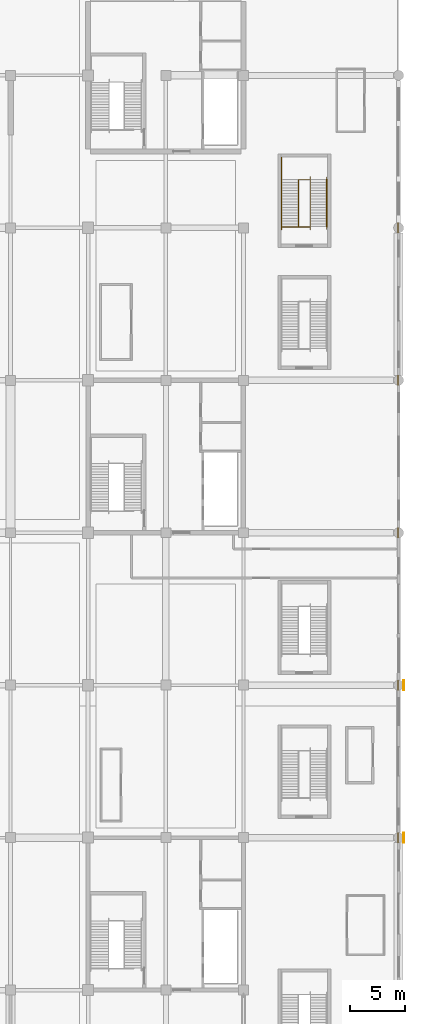
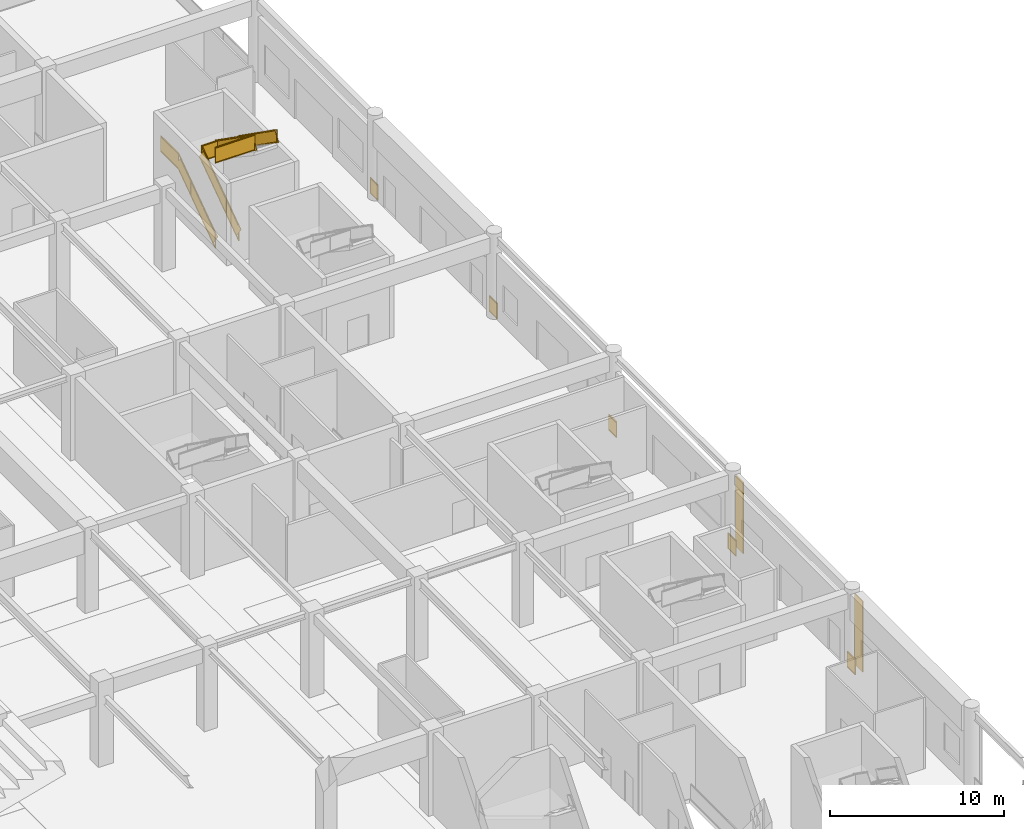
# One storey, part 67 of 73: 8 railings, 2 coverings.
"""IFC4 building model written with IfcOpenShell, lengths in metres."""

from ifc_helpers import new_model, si_unit, direction, frame, origin, origin_2d, place, context, subcontext, project, spatial, rectangle, extrude, material, layer, layer_set, type_object, element, save


model = new_model("IFC4")

# Units and contexts
model_context = context("Model", 3, precision=1e-05, world=origin(), true_north=direction((0.0, 1.0)))
body_context = subcontext(model_context, "Body", "Model", "MODEL_VIEW")
ifc_project = project(units=[si_unit("LENGTHUNIT", "METRE"), si_unit("AREAUNIT", "SQUARE_METRE"), si_unit("VOLUMEUNIT", "CUBIC_METRE"), si_unit("PLANEANGLEUNIT", "RADIAN"), si_unit("MASSUNIT", "GRAM", prefix="KILO")], contexts=[model_context])

# Site, building, storey
site_placement = place(None, origin())
site = spatial("IfcSite", under=ifc_project, at=site_placement, CompositionType="ELEMENT")
building_placement = place(site_placement, origin())
building = spatial("IfcBuilding", under=site, at=building_placement, Name="Linyun Crest Stadium", CompositionType="ELEMENT")
storey_placement = place(building_placement, origin())
storey = spatial("IfcBuildingStorey", under=building, at=storey_placement, Name="L01", CompositionType="ELEMENT", Elevation=0.0)

# Coverings
ifc_material_1 = material(Name="Precast concrete C40 fluted pier cladding", Category="concrete")
ifc_layer = layer(ifc_material_1, 0.0400390625)
ifc_layer_set = layer_set([ifc_layer], Name="Precast concrete C40 fluted pier cladding")
covering_type = type_object("IfcCoveringType", Name="CLD01", PredefinedType="CLADDING", material=ifc_layer_set)
for number, where, z_axis, x_axis, name in (
    (1, (98.449951171875, -25.375, 0.0), (0.0, 0.0, 1.0), (1.0, 0.0, 0.0), "Red sandstone pier cladding CLD01 5"),
    (2, (98.449951171875, -11.625, 0.0), (0.0, 0.0, 1.0), (1.0, 0.0, 0.0), "Red sandstone pier cladding CLD01 6"),
):
    element("IfcCovering", number, at=place(storey_placement, frame(where, z_axis=z_axis, x_axis=x_axis)), inside=storey, type_object=covering_type, Name=name, PredefinedType="CLADDING", context=body_context, shape_type="SweptSolid", body=[
        extrude(rectangle(XDim=0.06005859375, YDim=0.89990234375, at=origin_2d()), origin(), (0.0, 0.0, 1.0), 5.0),
    ])

# Railings
ifc_material_2 = material(Name="Galvanized and powder-coated steel bowl safety barrier", Category="steel")
railing_type_1 = type_object("IfcRailingType", Name="GR02", PredefinedType="GUARDRAIL", material=ifc_material_2)
for number, where, name in (
    (3, (97.93994140625, -24.93505859375, 0.0), "Slab edge balustrade GR02 101"),
    (4, (97.93994140625, 30.06494140625, 0.0), "Slab edge balustrade GR02 108"),
    (5, (97.93994140625, 16.31494140625, 0.0), "Slab edge balustrade GR02 109"),
    (6, (97.93994140625, 2.56494140625, 0.0), "Slab edge balustrade GR02 110"),
    (7, (97.93994140625, -11.18505859375, 0.0), "Slab edge balustrade GR02 111"),
):
    element("IfcRailing", number, at=place(storey_placement, frame(where)), inside=storey, type_object=railing_type_1, Name=name, PredefinedType="GUARDRAIL", context=body_context, shape_type="SweptSolid", body=[
        extrude(rectangle(XDim=0.06005859375, YDim=0.06005859375, at=origin_2d()), frame((0.0, 0.0, 1.090087890625), z_axis=(0.0, -1.0, 0.0), x_axis=(1.0, 0.0, 0.0)), (0.0, 0.0, 1.0), 0.8798828125),
        extrude(rectangle(XDim=0.030029296875, YDim=1.0, at=origin_2d()), frame((0.0, 0.0, 0.56005859375), z_axis=(0.0, -1.0, 0.0), x_axis=(1.0, 0.0, 0.0)), (0.0, 0.0, 1.0), 0.8798828125),
        extrude(rectangle(XDim=0.06005859375, YDim=0.06005859375, at=origin_2d()), frame((0.0, 0.0, 0.030029296875), z_axis=(0.0, -1.0, 0.0), x_axis=(1.0, 0.0, 0.0)), (0.0, 0.0, 1.0), 0.8798828125),
        extrude(rectangle(XDim=0.050048828125, YDim=0.050048828125, at=origin_2d()), origin(), (0.0, 0.0, 1.0), 1.1201171875),
        extrude(rectangle(XDim=0.050048828125, YDim=0.050048828125, at=origin_2d()), frame((0.0, -0.8798828125, 0.0)), (0.0, 0.0, 1.0), 1.1201171875),
    ])
ifc_material_3 = material(Name="Painted steel stairwell safety guard", Category="steel")
railing_type_2 = type_object("IfcRailingType", Name="GR03", PredefinedType="GUARDRAIL", material=ifc_material_3)
railing_1_placement = place(storey_placement, frame((87.429931640625, 29.719970703125, 0.0)))
element("IfcRailing", 8, at=railing_1_placement, inside=storey, type_object=railing_type_2, Name="STR-22-L01 outer guard", PredefinedType="GUARDRAIL", context=body_context, shape_type="SweptSolid", body=[
    extrude(rectangle(XDim=0.06005859375, YDim=0.06005859375, at=origin_2d()), frame((0.0, 0.0, 1.090087890625), z_axis=(0.0, 0.816967863265, 0.576683197599), x_axis=(-1.0, 0.0, 0.0)), (0.0, 0.0, 1.0), 5.2021484375),
    extrude(rectangle(XDim=0.030029296875, YDim=1.0, at=origin_2d()), frame((0.0, 0.0, 0.56005859375), z_axis=(0.0, 0.816967863265, 0.576683197599), x_axis=(-1.0, 0.0, 0.0)), (0.0, 0.0, 1.0), 5.2021484375),
    extrude(rectangle(XDim=0.06005859375, YDim=0.06005859375, at=origin_2d()), frame((0.0, 0.0, 0.030029296875), z_axis=(0.0, 0.816967863265, 0.576683197599), x_axis=(-1.0, 0.0, 0.0)), (0.0, 0.0, 1.0), 5.2021484375),
    extrude(rectangle(XDim=0.06005859375, YDim=0.06005859375, at=origin_2d()), frame((0.0, 4.25, 4.090087890625), z_axis=(0.0, 1.0, 0.0), x_axis=(-1.0, 0.0, 0.0)), (0.0, 0.0, 1.0), 2.0),
    extrude(rectangle(XDim=0.030029296875, YDim=1.0, at=origin_2d()), frame((0.0, 4.25, 3.56005859375), z_axis=(0.0, 1.0, 0.0), x_axis=(-1.0, 0.0, 0.0)), (0.0, 0.0, 1.0), 2.0),
    extrude(rectangle(XDim=0.06005859375, YDim=0.06005859375, at=origin_2d()), frame((0.0, 4.25, 3.030029296875), z_axis=(0.0, 1.0, 0.0), x_axis=(-1.0, 0.0, 0.0)), (0.0, 0.0, 1.0), 2.0),
    extrude(rectangle(XDim=0.050048828125, YDim=0.050048828125, at=origin_2d()), origin(), (0.0, 0.0, 1.0), 1.1201171875),
    extrude(rectangle(XDim=0.050048828125, YDim=0.050048828125, at=origin_2d()), frame((0.0, 1.416748046875, 1.0)), (0.0, 0.0, 1.0), 1.1201171875),
    extrude(rectangle(XDim=0.050048828125, YDim=0.050048828125, at=origin_2d()), frame((0.0, 2.833251953125, 2.0)), (0.0, 0.0, 1.0), 1.1201171875),
    extrude(rectangle(XDim=0.050048828125, YDim=0.050048828125, at=origin_2d()), frame((0.0, 4.25, 3.0)), (0.0, 0.0, 1.0), 1.1201171875),
    extrude(rectangle(XDim=0.050048828125, YDim=0.050048828125, at=origin_2d()), frame((0.0, 6.25, 3.0)), (0.0, 0.0, 1.0), 1.1201171875),
])
railing_2_placement = place(storey_placement, frame((88.969970703125, 29.699951171875, 0.0)))
element("IfcRailing", 9, at=railing_2_placement, inside=storey, type_object=railing_type_2, Name="STR-22-L01 inner well guard", PredefinedType="GUARDRAIL", context=body_context, shape_type="SweptSolid", body=[
    extrude(rectangle(XDim=0.06005859375, YDim=0.06005859375, at=origin_2d()), frame((0.0, 0.0, 1.090087890625), z_axis=(0.0, 0.818241657069, 0.574874412926), x_axis=(-1.0, 0.0, 0.0)), (0.0, 0.0, 1.0), 5.218505859375),
    extrude(rectangle(XDim=0.030029296875, YDim=1.0, at=origin_2d()), frame((0.0, 0.0, 0.56005859375), z_axis=(0.0, 0.818241657069, 0.574874412926), x_axis=(-1.0, 0.0, 0.0)), (0.0, 0.0, 1.0), 5.218505859375),
    extrude(rectangle(XDim=0.06005859375, YDim=0.06005859375, at=origin_2d()), frame((0.0, 0.0, 0.030029296875), z_axis=(0.0, 0.818241657069, 0.574874412926), x_axis=(-1.0, 0.0, 0.0)), (0.0, 0.0, 1.0), 5.218505859375),
    extrude(rectangle(XDim=0.06005859375, YDim=0.06005859375, at=origin_2d()), frame((0.0, 4.27001953125, 4.090087890625), z_axis=(1.0, 0.0, 0.0), x_axis=(0.0, 1.0, 0.0)), (0.0, 0.0, 1.0), 1.06005859375),
    extrude(rectangle(XDim=0.030029296875, YDim=1.0, at=origin_2d()), frame((0.0, 4.27001953125, 3.56005859375), z_axis=(1.0, 0.0, 0.0), x_axis=(0.0, 1.0, 0.0)), (0.0, 0.0, 1.0), 1.06005859375),
    extrude(rectangle(XDim=0.06005859375, YDim=0.06005859375, at=origin_2d()), frame((0.0, 4.27001953125, 3.030029296875), z_axis=(1.0, 0.0, 0.0), x_axis=(0.0, 1.0, 0.0)), (0.0, 0.0, 1.0), 1.06005859375),
    extrude(rectangle(XDim=0.06005859375, YDim=0.06005859375, at=origin_2d()), frame((1.06005859375, 4.27001953125, 4.090087890625), z_axis=(0.0, -0.818241657069, 0.574874412926), x_axis=(1.0, 0.0, 0.0)), (0.0, 0.0, 1.0), 5.218505859375),
    extrude(rectangle(XDim=0.030029296875, YDim=1.0, at=origin_2d()), frame((1.06005859375, 4.27001953125, 3.56005859375), z_axis=(0.0, -0.818241657069, 0.574874412926), x_axis=(1.0, 0.0, 0.0)), (0.0, 0.0, 1.0), 5.218505859375),
    extrude(rectangle(XDim=0.06005859375, YDim=0.06005859375, at=origin_2d()), frame((1.06005859375, 4.27001953125, 3.030029296875), z_axis=(0.0, -0.818241657069, 0.574874412926), x_axis=(1.0, 0.0, 0.0)), (0.0, 0.0, 1.0), 5.218505859375),
    extrude(rectangle(XDim=0.06005859375, YDim=0.06005859375, at=origin_2d()), frame((1.06005859375, 0.0, 7.090087890625), z_axis=(-1.0, 0.0, 0.0), x_axis=(0.0, -1.0, 0.0)), (0.0, 0.0, 1.0), 2.610107421875),
    extrude(rectangle(XDim=0.030029296875, YDim=1.0, at=origin_2d()), frame((1.06005859375, 0.0, 6.56005859375), z_axis=(-1.0, 0.0, 0.0), x_axis=(0.0, -1.0, 0.0)), (0.0, 0.0, 1.0), 2.610107421875),
    extrude(rectangle(XDim=0.06005859375, YDim=0.06005859375, at=origin_2d()), frame((1.06005859375, 0.0, 6.030029296875), z_axis=(-1.0, 0.0, 0.0), x_axis=(0.0, -1.0, 0.0)), (0.0, 0.0, 1.0), 2.610107421875),
    extrude(rectangle(XDim=0.050048828125, YDim=0.050048828125, at=origin_2d()), origin(), (0.0, 0.0, 1.0), 1.1201171875),
    extrude(rectangle(XDim=0.050048828125, YDim=0.050048828125, at=origin_2d()), frame((0.0, 1.42333984375, 1.0)), (0.0, 0.0, 1.0), 1.1201171875),
    extrude(rectangle(XDim=0.050048828125, YDim=0.050048828125, at=origin_2d()), frame((0.0, 2.8466796875, 2.0)), (0.0, 0.0, 1.0), 1.1201171875),
    extrude(rectangle(XDim=0.050048828125, YDim=0.050048828125, at=origin_2d()), frame((0.0, 4.27001953125, 3.0)), (0.0, 0.0, 1.0), 1.1201171875),
    extrude(rectangle(XDim=0.050048828125, YDim=0.050048828125, at=origin_2d()), frame((1.06005859375, 4.27001953125, 3.0)), (0.0, 0.0, 1.0), 1.1201171875),
    extrude(rectangle(XDim=0.050048828125, YDim=0.050048828125, at=origin_2d()), frame((1.06005859375, 2.8466796875, 4.0)), (0.0, 0.0, 1.0), 1.1201171875),
    extrude(rectangle(XDim=0.050048828125, YDim=0.050048828125, at=origin_2d()), frame((1.06005859375, 1.42333984375, 5.0)), (0.0, 0.0, 1.0), 1.1201171875),
    extrude(rectangle(XDim=0.050048828125, YDim=0.050048828125, at=origin_2d()), frame((1.06005859375, 0.0, 6.0)), (0.0, 0.0, 1.0), 1.1201171875),
    extrude(rectangle(XDim=0.050048828125, YDim=0.050048828125, at=origin_2d()), frame((-0.2451171875, 0.0, 6.0)), (0.0, 0.0, 1.0), 1.1201171875),
    extrude(rectangle(XDim=0.050048828125, YDim=0.050048828125, at=origin_2d()), frame((-1.550048828125, 0.0, 6.0)), (0.0, 0.0, 1.0), 1.1201171875),
])
ifc_material_4 = material(Name="Brushed stainless steel tubular handrail", Category="steel")
railing_type_3 = type_object("IfcRailingType", Name="HR01", PredefinedType="HANDRAIL", material=ifc_material_4)
railing_3_placement = place(storey_placement, frame((91.52001953125, 33.969970703125, 3.0)))
element("IfcRailing", 10, at=railing_3_placement, inside=storey, type_object=railing_type_3, Name="STR-22-L01 handrail", PredefinedType="HANDRAIL", context=body_context, shape_type="SweptSolid", body=[
    extrude(rectangle(XDim=0.06005859375, YDim=0.06005859375, at=origin_2d()), frame((0.0, 0.0, 0.889892578125), z_axis=(0.0, -0.816967863265, 0.576683197599), x_axis=(1.0, 0.0, 0.0)), (0.0, 0.0, 1.0), 5.2021484375),
    extrude(rectangle(XDim=0.030029296875, YDim=0.7998046875, at=origin_2d()), frame((0.0, 0.0, 0.4599609375), z_axis=(0.0, -0.816967863265, 0.576683197599), x_axis=(1.0, 0.0, 0.0)), (0.0, 0.0, 1.0), 5.2021484375),
    extrude(rectangle(XDim=0.06005859375, YDim=0.06005859375, at=origin_2d()), frame((0.0, 0.0, 0.030029296875), z_axis=(0.0, -0.816967863265, 0.576683197599), x_axis=(1.0, 0.0, 0.0)), (0.0, 0.0, 1.0), 5.2021484375),
    extrude(rectangle(XDim=0.050048828125, YDim=0.050048828125, at=origin_2d()), origin(), (0.0, 0.0, 1.0), 0.919921875),
    extrude(rectangle(XDim=0.050048828125, YDim=0.050048828125, at=origin_2d()), frame((0.0, -1.416748046875, 1.0)), (0.0, 0.0, 1.0), 0.919921875),
    extrude(rectangle(XDim=0.050048828125, YDim=0.050048828125, at=origin_2d()), frame((0.0, -2.833251953125, 2.0)), (0.0, 0.0, 1.0), 0.919921875),
    extrude(rectangle(XDim=0.050048828125, YDim=0.050048828125, at=origin_2d()), frame((0.0, -4.25, 3.0)), (0.0, 0.0, 1.0), 0.919921875),
])

save(model, "model.ifc")
